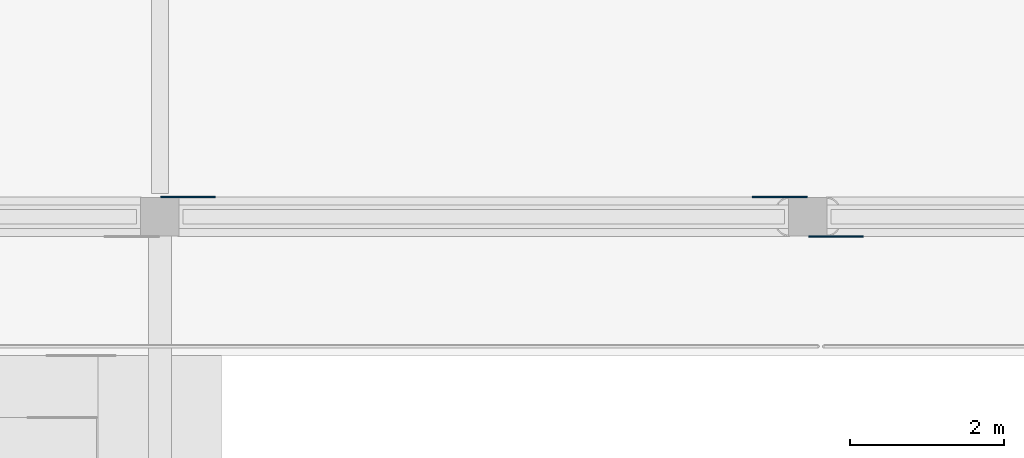
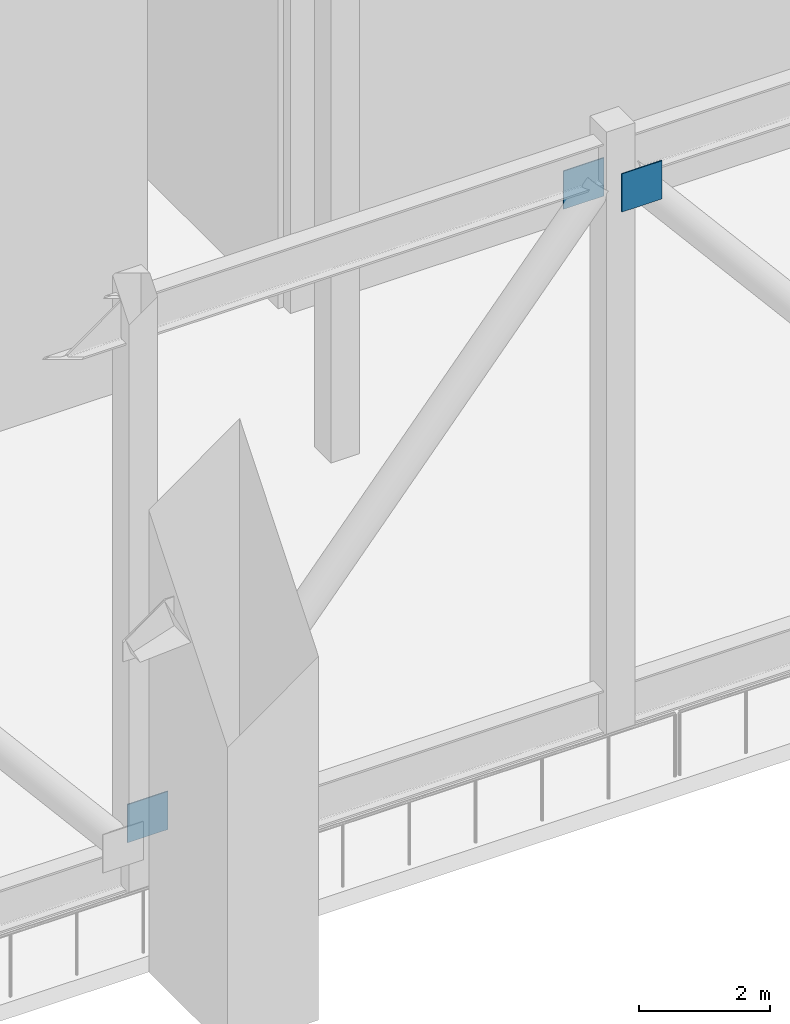
# One storey, part 12 of 20: 3 discrete accessories.
"""IFC4 building model written with IfcOpenShell, lengths in metres."""

import ifcopenshell
import ifcopenshell.guid

model = None  # the IFC model being written
_history = None  # IfcOwnerHistory: only IFC2X3 demands one
_inside = {}  # id of a spatial element -> (the spatial element, [elements in it])
_under = {}  # id of a project, library or spatial element -> (it, [spatial elements below it])
_declared = {}  # id of a project -> (the project, [libraries it declares])
_typed = {}  # id of a type object -> (the type object, [elements of that type])
_made_of = {}  # id of a material, layer set ... -> (it, [elements and type objects made of it])


def new_model(schema):
    """Start an empty IFC model of exactly this schema.

    Asked for "IFC4X3", IfcOpenShell would pick the latest addendum, in which some entities
    have other attributes; the version numbers below select the first issue.
    IFC2X3 requires an IfcOwnerHistory on every rooted entity: one is made here for all.
    """
    global model, _history
    if schema == "IFC4X3":
        model = ifcopenshell.file(schema_version=(4, 3, 0, 0))
    else:
        model = ifcopenshell.file(schema=schema)
    _inside.clear()
    _under.clear()
    _declared.clear()
    _typed.clear()
    _made_of.clear()
    _history = None
    if model.schema == "IFC2X3":
        org = make("IfcOrganization", Name="unknown")
        user = make(
            "IfcPersonAndOrganization",
            ThePerson=make("IfcPerson", FamilyName="unknown"),
            TheOrganization=org,
        )
        app = make(
            "IfcApplication",
            ApplicationDeveloper=org,
            Version="unknown",
            ApplicationFullName="unknown",
            ApplicationIdentifier="unknown",
        )
        _history = make(
            "IfcOwnerHistory",
            OwningUser=user,
            OwningApplication=app,
            ChangeAction="ADDED",
            CreationDate=0,
        )
    return model


def make(cls, **values):
    """One entity of the class cls with the attributes given. An attribute that is None is left unset."""
    return model.create_entity(
        cls, **{name: value for name, value in values.items() if value is not None}
    )


def rooted(cls, **values):
    """An entity with a GlobalId (a new one), such as an element, a storey or a relation."""
    return make(cls, GlobalId=ifcopenshell.guid.new(), OwnerHistory=_history, **values)


def si_unit(unit_type, name, prefix=None):
    """IfcSIUnit, for example si_unit("LENGTHUNIT", "METRE", prefix="MILLI")."""
    return make("IfcSIUnit", UnitType=unit_type, Prefix=prefix, Name=name)


def assignment(units):
    """IfcUnitAssignment: the units of a project."""
    return None if units is None else make("IfcUnitAssignment", Units=units)


def point(xyz):
    """IfcCartesianPoint."""
    return None if xyz is None else make("IfcCartesianPoint", Coordinates=xyz)


def direction(xyz):
    """IfcDirection."""
    return None if xyz is None else make("IfcDirection", DirectionRatios=xyz)


def frame(location, z_axis=None, x_axis=None):
    """IfcAxis2Placement3D, a coordinate frame: its origin and axes. An axis left out is left unset."""
    return make(
        "IfcAxis2Placement3D",
        Location=point(location),
        Axis=direction(z_axis),
        RefDirection=direction(x_axis),
    )


def frame_2d(location, x_axis=None):
    """IfcAxis2Placement2D, a coordinate frame in the plane: its origin and x axis."""
    return make(
        "IfcAxis2Placement2D", Location=point(location), RefDirection=direction(x_axis)
    )


def origin():
    """The frame at (0, 0, 0) with its axes left unset."""
    return frame((0.0, 0.0, 0.0))


def origin_2d():
    """The frame at (0, 0) in the plane with its x axis left unset."""
    return frame_2d((0.0, 0.0))


def place(relative_to, where):
    """IfcLocalPlacement: puts the frame where relative to a parent placement (None: the world)."""
    return make(
        "IfcLocalPlacement", PlacementRelTo=relative_to, RelativePlacement=where
    )


def context(
    kind, dimensions, precision=None, world=None, true_north=None, identifier=None
):
    """IfcGeometricRepresentationContext, for example the 3D "Model" context."""
    return make(
        "IfcGeometricRepresentationContext",
        ContextIdentifier=identifier,
        ContextType=kind,
        CoordinateSpaceDimension=dimensions,
        Precision=precision,
        WorldCoordinateSystem=world,
        TrueNorth=true_north,
    )


def subcontext(parent, identifier, kind, view, scale=None):
    """IfcGeometricRepresentationSubContext, for example "Body" below "Model"."""
    return make(
        "IfcGeometricRepresentationSubContext",
        ContextIdentifier=identifier,
        ContextType=kind,
        ParentContext=parent,
        TargetScale=scale,
        TargetView=view,
    )


def project(units=None, contexts=None):
    """IfcProject with its units and contexts."""
    return rooted(
        "IfcProject",
        Name="project",
        RepresentationContexts=contexts,
        UnitsInContext=assignment(units),
    )


def spatial(cls, under=None, at=None, **own):
    """A site, building, storey or space (cls), placed at a placement, below another one or the project."""
    s = rooted(cls, ObjectPlacement=at, **own)
    if under is not None:
        _under.setdefault(under.id(), (under, []))[1].append(s)
    return s


def profile(cls, at=None, kind="AREA", **sizes):
    """A parametric profile (cls). Its sizes go by their IFC names, for example OverallWidth=200.0."""
    return make(cls, ProfileType=kind, Position=at, **sizes)


def rectangle(**sizes):
    """IfcRectangleProfileDef."""
    return profile("IfcRectangleProfileDef", **sizes)


def extrude(swept, where, along, depth):
    """IfcExtrudedAreaSolid: the profile swept, set in the frame where, extruded along a direction by depth."""
    return make(
        "IfcExtrudedAreaSolid",
        SweptArea=swept,
        Position=where,
        ExtrudedDirection=direction(along),
        Depth=depth,
    )


def shape(context_of_items, identifier, shape_type, items):
    """IfcShapeRepresentation: the items that make up one representation, for example the "Body"."""
    return make(
        "IfcShapeRepresentation",
        ContextOfItems=context_of_items,
        RepresentationIdentifier=identifier,
        RepresentationType=shape_type,
        Items=items,
    )


def made_of(thing, what):
    """Note that an element or type object is made of a material, layer set ...; save() writes the relation."""
    if what is not None:
        _made_of.setdefault(what.id(), (what, []))[1].append(thing)
    return thing


def element(
    cls,
    number,
    at=None,
    inside=None,
    cuts=None,
    type_object=None,
    material=None,
    context=None,
    identifier="Body",
    shape_type=None,
    held_by="IfcProductDefinitionShape",
    body=None,
    shapes=None,
    **own,
):
    """One element of the class cls, such as IfcWall. Its Tag is "e" and its number.

    at: its placement. inside: the storey or other place that contains it. cuts: it is an
    opening in that element (IfcRelVoidsElement). A single representation is given by context,
    identifier, shape_type and body (its items); several are given by shapes. held_by: the class
    of the entity that holds the representations. save() writes the other relations.
    """
    e = rooted(cls, Tag="e%d" % number, ObjectPlacement=at, **own)
    if body is not None:
        shapes = [shape(context, identifier, shape_type, body)]
    if shapes is not None:
        e.Representation = make(held_by, Representations=shapes)
    if inside is not None:
        _inside.setdefault(inside.id(), (inside, []))[1].append(e)
    if cuts is not None:
        rooted(
            "IfcRelVoidsElement", RelatingBuildingElement=cuts, RelatedOpeningElement=e
        )
    if type_object is not None:
        _typed.setdefault(type_object.id(), (type_object, []))[1].append(e)
    return made_of(e, material)


def aggregate(whole, parts):
    """IfcRelAggregates: a whole, such as a stair, and the parts it consists of."""
    return rooted("IfcRelAggregates", RelatingObject=whole, RelatedObjects=parts)


def save(model, path):
    """Write the relations noted so far, then the file.

    IfcRelAggregates (storeys below a building ...), IfcRelContainedInSpatialStructure (elements
    in a storey), IfcRelDefinesByType, IfcRelAssociatesMaterial and IfcRelDeclares: one each for
    every whole, place, type object, material and project.
    """
    for whole, parts in _under.values():
        aggregate(whole, parts)
    for where, things in _inside.values():
        rooted(
            "IfcRelContainedInSpatialStructure",
            RelatedElements=things,
            RelatingStructure=where,
        )
    for kind, things in _typed.values():
        rooted("IfcRelDefinesByType", RelatedObjects=things, RelatingType=kind)
    for what, things in _made_of.values():
        rooted("IfcRelAssociatesMaterial", RelatedObjects=things, RelatingMaterial=what)
    for by, libraries in _declared.values():
        rooted("IfcRelDeclares", RelatingContext=by, RelatedDefinitions=libraries)
    model.write(path)


model = new_model("IFC4")

# Units and contexts
model_context = context("Model", 3, precision=1e-05, world=origin(), true_north=direction((0.0, 1.0)))
body_context = subcontext(model_context, "Body", "Model", "MODEL_VIEW")
ifc_project = project(units=[si_unit("LENGTHUNIT", "METRE"), si_unit("AREAUNIT", "SQUARE_METRE"), si_unit("VOLUMEUNIT", "CUBIC_METRE"), si_unit("PLANEANGLEUNIT", "RADIAN"), si_unit("MASSUNIT", "GRAM", prefix="KILO")], contexts=[model_context])

# Site, building, storey
site_placement = place(None, origin())
site = spatial("IfcSite", under=ifc_project, at=site_placement, CompositionType="ELEMENT")
building_placement = place(site_placement, origin())
building = spatial("IfcBuilding", under=site, at=building_placement, Name="Saffron Gate Tower", CompositionType="ELEMENT")
storey_placement = place(building_placement, frame((0.0, 0.0, 252.300048828125)))
storey = spatial("IfcBuildingStorey", under=building, at=storey_placement, Name="L62", CompositionType="ELEMENT", Elevation=252.300048828125)

# Discrete accessories
for number, where, z_axis, x_axis, name in (
    (1, (100.564697265625, 32.053955078125, 0.580322265625), (0.0, 0.0, 1.0), (1.0, 0.0, 0.0), "GUSSET PLATE"),
    (2, (108.2353515625, 32.053955078125, 9.678466796875), (0.0, 0.0, 1.0), (1.0, 0.0, 0.0), "GUSSET PLATE"),
    (3, (108.964599609375, 31.5458984375, 9.678466796875), (0.0, 0.0, 1.0), (-1.0, 0.0, 0.0), "GUSSET PLATE"),
):
    element("IfcDiscreteAccessory", number, at=place(storey_placement, frame(where, z_axis=z_axis, x_axis=x_axis)), inside=storey, Name=name, ObjectType="GUSSET PLATE", PredefinedType="USERDEFINED", context=body_context, shape_type="SweptSolid", body=[
        extrude(rectangle(XDim=0.7109375, YDim=0.02001953125, at=origin_2d()), origin(), (0.0, 0.0, 1.0), 0.7109375),
    ])

save(model, "model.ifc")
